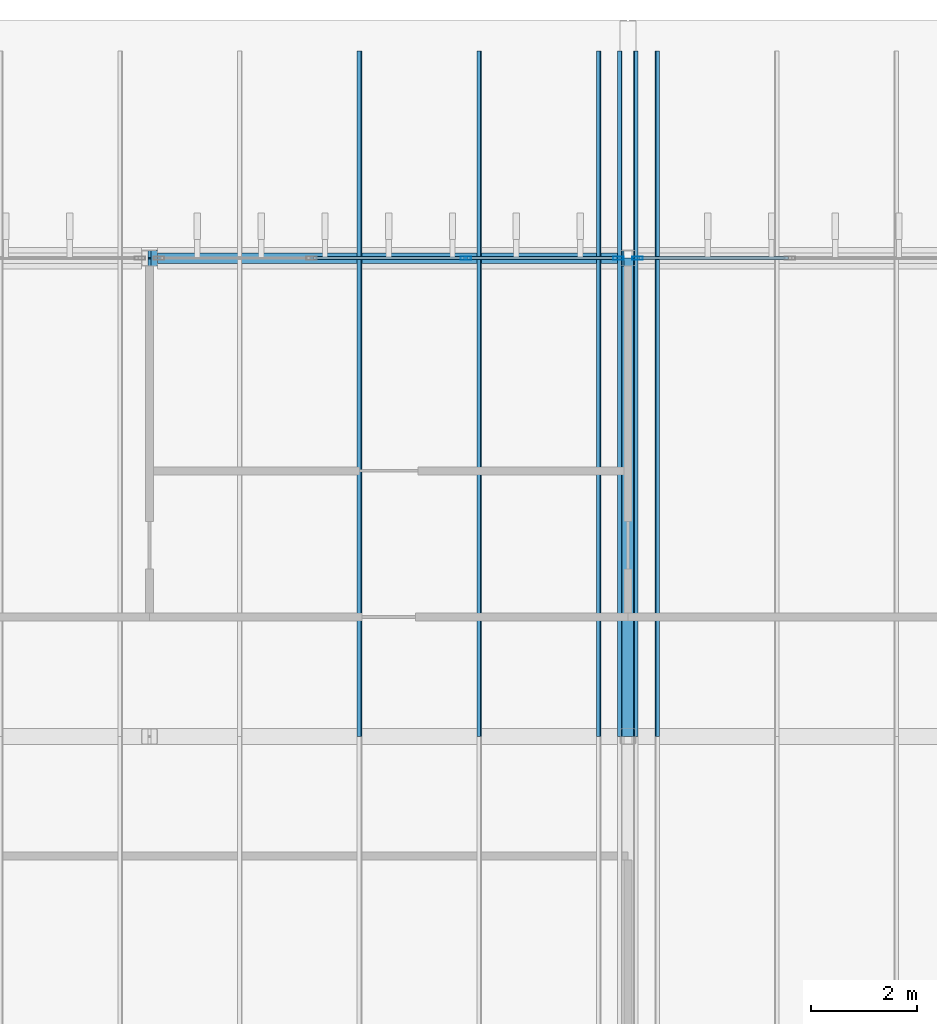
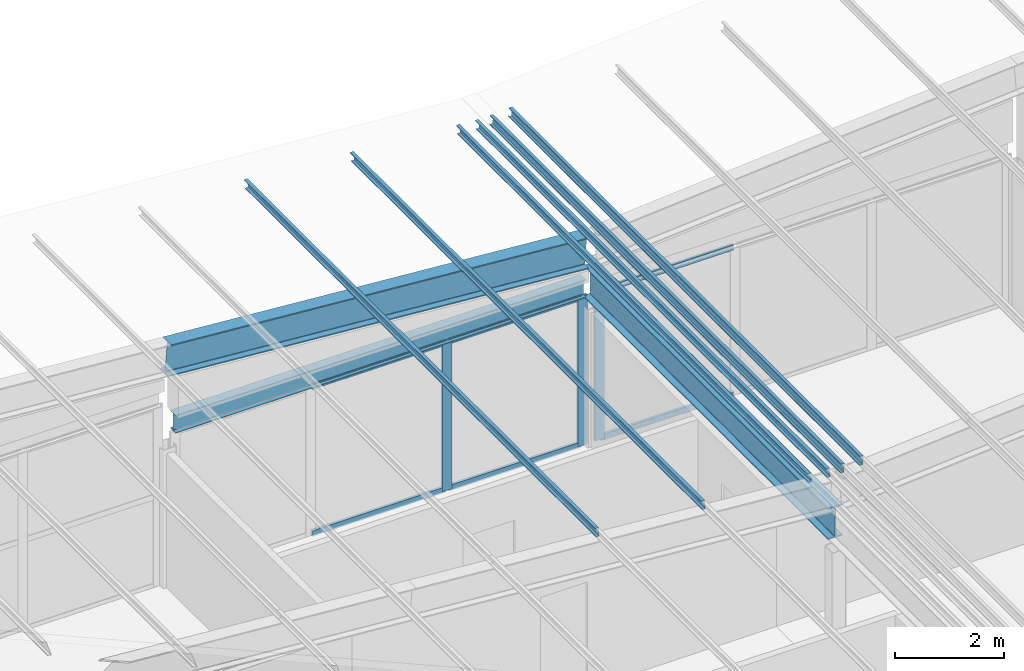
# One storey, part 56 of 85: 16 members, 2 beams, 2 elements without a shape of their own.
"""IFC4 building model written with IfcOpenShell, lengths in metres."""

from ifc_helpers import new_model, si_unit, direction, frame, origin, origin_2d, place, context, subcontext, project, spatial, polyline, hollow_rectangle, i_section, outline, extrude, material, layer, layer_set, material_profile, profile_set, type_object, element, aggregate, save


model = new_model("IFC4")

# Units and contexts
model_context = context("Model", 3, precision=1e-05, world=origin(), true_north=direction((0.0, 1.0)))
body_context = subcontext(model_context, "Body", "Model", "MODEL_VIEW")
ifc_project = project(units=[si_unit("LENGTHUNIT", "METRE"), si_unit("AREAUNIT", "SQUARE_METRE"), si_unit("VOLUMEUNIT", "CUBIC_METRE"), si_unit("PLANEANGLEUNIT", "RADIAN"), si_unit("MASSUNIT", "GRAM", prefix="KILO")], contexts=[model_context])

# Site, building, storey
site_placement = place(None, origin())
site = spatial("IfcSite", under=ifc_project, at=site_placement, CompositionType="ELEMENT")
building_placement = place(site_placement, origin())
building = spatial("IfcBuilding", under=site, at=building_placement, Name="Opaline Strait Convention Centre", CompositionType="ELEMENT")
storey_placement = place(building_placement, frame((0.0, 0.0, 17.0)))
storey = spatial("IfcBuildingStorey", under=building, at=storey_placement, Name="L03", CompositionType="ELEMENT", Elevation=17.0)

# Curtain wall, members
ifc_material_1 = material(Name="Aluminium framed double glazing", Category="aluminium")
ifc_layer = layer(ifc_material_1, 0.199951171875)
ifc_layer_set = layer_set([ifc_layer], Name="Aluminium framed double glazing")
curtain_wall_type = type_object("IfcCurtainWallType", Name="Curtain wall 3000 module unitised", PredefinedType="NOTDEFINED", material=ifc_layer_set)
curtain_wall_1_placement = place(storey_placement, origin())
curtain_wall_1 = element("IfcCurtainWall", 1, at=curtain_wall_1_placement, inside=storey, type_object=curtain_wall_type, Name="Curtain wall N L03 36/W", PredefinedType="NOTDEFINED")
ifc_material_2 = material(Name="Aluminium alloy 6063", Category="aluminium")
ifc_material_profile_1 = material_profile(ifc_material_2, hollow_rectangle(XDim=0.06005859375, YDim=0.199951171875, WallThickness=0.00390625, at=origin_2d()), Name="MULLION 60x200x4")
ifc_profile_set_1 = profile_set([ifc_material_profile_1], Name="Aluminium alloy 6063")
member_type_1 = type_object("IfcMemberType", Name="Curtain wall mullion 60 x 200", PredefinedType="MULLION", material=ifc_profile_set_1)
member_1_placement = place(storey_placement, frame((320.949951171875, 180.0, 0.0), z_axis=(0.0, 0.0, 1.0), x_axis=(0.0, 1.0, 0.0)))
member_1 = element("IfcMember", 2, at=member_1_placement, type_object=member_type_1, Name="MCWR1 mullion 3", PredefinedType="MULLION", context=body_context, shape_type="SweptSolid", body=[
    extrude(hollow_rectangle(XDim=0.06005859375, YDim=0.199951171875, WallThickness=0.00390625, at=origin_2d()), origin(), (0.0, 0.0, 1.0), 3.35009765625),
])
member_2_placement = place(storey_placement, frame((323.820068359375, 180.0, 0.0), z_axis=(0.0, 0.0, 1.0), x_axis=(0.0, 1.0, 0.0)))
member_2 = element("IfcMember", 3, at=member_2_placement, type_object=member_type_1, Name="MCWR1 mullion 4", PredefinedType="MULLION", context=body_context, shape_type="SweptSolid", body=[
    extrude(hollow_rectangle(XDim=0.06005859375, YDim=0.199951171875, WallThickness=0.00390625, at=origin_2d()), origin(), (0.0, 0.0, 1.0), 3.35009765625),
])

# Curtain wall, member
curtain_wall_2_placement = place(storey_placement, origin())
curtain_wall_2 = element("IfcCurtainWall", 4, at=curtain_wall_2_placement, inside=storey, type_object=curtain_wall_type, Name="Curtain wall N L03 37/W", PredefinedType="NOTDEFINED")
member_3_placement = place(storey_placement, frame((324.179931640625, 180.0, 0.0), z_axis=(0.0, 0.0, 1.0), x_axis=(0.0, 1.0, 0.0)))
member_3 = element("IfcMember", 5, at=member_3_placement, type_object=member_type_1, Name="MCWR1 mullion 1", PredefinedType="MULLION", context=body_context, shape_type="SweptSolid", body=[
    extrude(hollow_rectangle(XDim=0.06005859375, YDim=0.199951171875, WallThickness=0.00390625, at=origin_2d()), origin(), (0.0, 0.0, 1.0), 3.35009765625),
])

# Member
ifc_material_profile_2 = material_profile(ifc_material_2, hollow_rectangle(XDim=0.06005859375, YDim=0.1201171875, WallThickness=0.0029296875, at=origin_2d()), Name="TRANSOM 60x120x3")
ifc_profile_set_2 = profile_set([ifc_material_profile_2], Name="Aluminium alloy 6063")
member_type_2 = type_object("IfcMemberType", Name="Curtain wall transom 60 x 120", PredefinedType="USERDEFINED", material=ifc_profile_set_2)
member_4_placement = place(storey_placement, frame((318.080078125, 180.0, 0.030029296875), z_axis=(1.0, 0.0, 0.0), x_axis=(0.0, 1.0, 0.0)))
member_4 = element("IfcMember", 6, at=member_4_placement, type_object=member_type_2, Name="MCWR1 transom 2.1", ObjectType="TRANSOM", PredefinedType="USERDEFINED", context=body_context, shape_type="SweptSolid", body=[
    extrude(hollow_rectangle(XDim=0.06005859375, YDim=0.1201171875, WallThickness=0.0029296875, at=origin_2d()), origin(), (0.0, 0.0, 1.0), 2.83984375),
])

member_5_placement = place(storey_placement, frame((318.080078125, 180.0, 3.320068359375), z_axis=(1.0, 0.0, 0.0), x_axis=(0.0, 1.0, 0.0)))
member_5 = element("IfcMember", 7, at=member_5_placement, type_object=member_type_2, Name="MCWR1 transom 2.2", ObjectType="TRANSOM", PredefinedType="USERDEFINED", context=body_context, shape_type="SweptSolid", body=[
    extrude(hollow_rectangle(XDim=0.06005859375, YDim=0.1201171875, WallThickness=0.0029296875, at=origin_2d()), origin(), (0.0, 0.0, 1.0), 2.83984375),
])

member_6_placement = place(storey_placement, frame((320.97998046875, 180.0, 0.030029296875), z_axis=(1.0, 0.0, 0.0), x_axis=(0.0, 1.0, 0.0)))
member_6 = element("IfcMember", 8, at=member_6_placement, type_object=member_type_2, Name="MCWR1 transom 3.1", ObjectType="TRANSOM", PredefinedType="USERDEFINED", context=body_context, shape_type="SweptSolid", body=[
    extrude(hollow_rectangle(XDim=0.06005859375, YDim=0.1201171875, WallThickness=0.0029296875, at=origin_2d()), origin(), (0.0, 0.0, 1.0), 2.81005859375),
])

member_7_placement = place(storey_placement, frame((320.97998046875, 180.0, 3.320068359375), z_axis=(1.0, 0.0, 0.0), x_axis=(0.0, 1.0, 0.0)))
member_7 = element("IfcMember", 9, at=member_7_placement, type_object=member_type_2, Name="MCWR1 transom 3.2", ObjectType="TRANSOM", PredefinedType="USERDEFINED", context=body_context, shape_type="SweptSolid", body=[
    extrude(hollow_rectangle(XDim=0.06005859375, YDim=0.1201171875, WallThickness=0.0029296875, at=origin_2d()), origin(), (0.0, 0.0, 1.0), 2.81005859375),
])

aggregate(curtain_wall_1, [member_1, member_2, member_4, member_5, member_6, member_7])

member_8_placement = place(storey_placement, frame((324.2099609375, 180.0, 0.030029296875), z_axis=(1.0, 0.0, 0.0), x_axis=(0.0, 1.0, 0.0)))
member_8 = element("IfcMember", 10, at=member_8_placement, type_object=member_type_2, Name="MCWR1 transom 1.1", ObjectType="TRANSOM", PredefinedType="USERDEFINED", context=body_context, shape_type="SweptSolid", body=[
    extrude(hollow_rectangle(XDim=0.06005859375, YDim=0.1201171875, WallThickness=0.0029296875, at=origin_2d()), origin(), (0.0, 0.0, 1.0), 2.81005859375),
])

member_9_placement = place(storey_placement, frame((324.2099609375, 180.0, 3.320068359375), z_axis=(1.0, 0.0, 0.0), x_axis=(0.0, 1.0, 0.0)))
member_9 = element("IfcMember", 11, at=member_9_placement, type_object=member_type_2, Name="MCWR1 transom 1.2", ObjectType="TRANSOM", PredefinedType="USERDEFINED", context=body_context, shape_type="SweptSolid", body=[
    extrude(hollow_rectangle(XDim=0.06005859375, YDim=0.1201171875, WallThickness=0.0029296875, at=origin_2d()), origin(), (0.0, 0.0, 1.0), 2.81005859375),
])

aggregate(curtain_wall_2, [member_3, member_8, member_9])

# Beam
ifc_material_3 = material(Name="Steel Q355B", Category="steel")
ifc_material_profile_3 = material_profile(ifc_material_3, i_section(OverallWidth=0.199951171875, OverallDepth=0.39990234375, WebThickness=0.008056640625, FlangeThickness=0.012939453125, FilletRadius=0.012939453125, at=origin_2d()), Name="HN 400x200x8x13")
ifc_profile_set_3 = profile_set([ifc_material_profile_3], Name="Steel Q355B")
beam_type_1 = type_object("IfcBeamType", Name="Lintel beam HN 400x200x8x13", PredefinedType="BEAM", material=ifc_profile_set_3)
beam_1_placement = place(storey_placement, frame((315.14990234375, 180.0, 3.550048828125), z_axis=(1.0, 0.0, 0.0), x_axis=(0.0, 1.0, 0.0)))
element("IfcBeam", 12, at=beam_1_placement, inside=storey, type_object=beam_type_1, Name="MLB1 lintel beam over curtain wall 36/W", PredefinedType="BEAM", context=body_context, shape_type="SweptSolid", body=[
    extrude(i_section(OverallWidth=0.199951171875, OverallDepth=0.39990234375, WebThickness=0.008056640625, FlangeThickness=0.012939453125, FilletRadius=0.012939453125, at=origin_2d()), origin(), (0.0, 0.0, 1.0), 8.7001953125),
])

# Members
ifc_material_profile_4 = material_profile(ifc_material_3, outline(polyline([(-0.034912109375, -0.10009765625), (0.034912109375, -0.10009765625), (0.034912109375, -0.080078125), (0.032470703125, -0.080078125), (0.032470703125, -0.097412109375), (-0.032470703125, -0.097412109375), (-0.032470703125, 0.097412109375), (0.032470703125, 0.097412109375), (0.032470703125, 0.080078125), (0.034912109375, 0.080078125), (0.034912109375, 0.10009765625), (-0.034912109375, 0.10009765625), (-0.034912109375, -0.10009765625)])), Name="C 200x70x20x2.5")
ifc_profile_set_4 = profile_set([ifc_material_profile_4], Name="Steel Q355B")
member_type_3 = type_object("IfcMemberType", Name="Roof purlin C 200x70x20x2.5", PredefinedType="PURLIN", material=ifc_profile_set_4)
for number, where, z_axis, x_axis, name in (
    (13, (323.85009765625, 171.0, 4.814208984375), (0.0, 1.0, 0.0), (-0.996917333733, 0.0, -0.078459095728), "MRP1 purlin W wing 10"),
    (14, (323.449951171875, 171.0, 4.845703125), (0.0, 1.0, 0.0), (-0.996917333733, 0.0, -0.078459095728), "MRP1 purlin W wing 20"),
    (15, (321.199951171875, 171.0, 5.02294921875), (0.0, 1.0, 0.0), (-0.996917333733, 0.0, -0.078459095728), "MRP1 purlin W wing 30"),
    (16, (318.949951171875, 171.0, 5.199951171875), (0.0, 1.0, 0.0), (-0.996917333733, 0.0, -0.078459095728), "MRP1 purlin W wing 40"),
    (17, (324.14990234375, 171.0, 4.814208984375), (0.0, 1.0, 0.0), (-0.996917333733, 0.0, 0.078459095728), "MRP1 purlin E wing 220"),
    (18, (324.550048828125, 171.0, 4.845703125), (0.0, 1.0, 0.0), (-0.996917333733, 0.0, 0.078459095728), "MRP1 purlin E wing 230"),
):
    element("IfcMember", number, at=place(storey_placement, frame(where, z_axis=z_axis, x_axis=x_axis)), inside=storey, type_object=member_type_3, Name=name, PredefinedType="PURLIN", context=body_context, shape_type="SweptSolid", body=[
        extrude(outline(polyline([(-0.034912109375, -0.10009765625), (0.034912109375, -0.10009765625), (0.034912109375, -0.080078125), (0.032470703125, -0.080078125), (0.032470703125, -0.097412109375), (-0.032470703125, -0.097412109375), (-0.032470703125, 0.097412109375), (0.032470703125, 0.097412109375), (0.032470703125, 0.080078125), (0.034912109375, 0.080078125), (0.034912109375, 0.10009765625), (-0.034912109375, 0.10009765625), (-0.034912109375, -0.10009765625)])), origin(), (0.0, 0.0, 1.0), 12.89990234375),
    ])
ifc_material_profile_5 = material_profile(ifc_material_3, i_section(OverallWidth=0.300048828125, OverallDepth=0.699951171875, WebThickness=0.012939453125, FlangeThickness=0.02392578125, FilletRadius=0.01806640625, at=origin_2d()), Name="HN 700x300x13x24")
ifc_profile_set_5 = profile_set([ifc_material_profile_5], Name="Steel Q355B")
member_type_4 = type_object("IfcMemberType", Name="Roof rafter HN 700x300x13x24", PredefinedType="RAFTER", material=ifc_profile_set_5)
member_10_placement = place(storey_placement, frame((315.0, 180.0, 5.059326171875), z_axis=(0.996917316665, 0.0, -0.0784593126), x_axis=(0.0, 1.0, 0.0)))
element("IfcMember", 19, at=member_10_placement, inside=storey, type_object=member_type_4, Name="MRR1 rafter y 180", PredefinedType="RAFTER", context=body_context, shape_type="SweptSolid", body=[
    extrude(i_section(OverallWidth=0.300048828125, OverallDepth=0.699951171875, WebThickness=0.012939453125, FlangeThickness=0.02392578125, FilletRadius=0.01806640625, at=origin_2d()), origin(), (0.0, 0.0, 1.0), 8.927490234375),
])

# Beam
ifc_material_profile_6 = material_profile(ifc_material_3, i_section(OverallWidth=0.300048828125, OverallDepth=0.699951171875, WebThickness=0.012939453125, FlangeThickness=0.02392578125, FilletRadius=0.01806640625, at=origin_2d()), Name="HN 700x300x13x24")
ifc_profile_set_6 = profile_set([ifc_material_profile_6], Name="Steel Q355B")
beam_type_2 = type_object("IfcBeamType", Name="Valley beam HN 700x300x13x24", PredefinedType="BEAM", material=ifc_profile_set_6)
beam_2_placement = place(storey_placement, frame((324.0, 171.0, 3.661865234375), z_axis=(0.0, 1.0, 0.0), x_axis=(-1.0, 0.0, 0.0)))
element("IfcBeam", 20, at=beam_2_placement, inside=storey, type_object=beam_type_2, Name="MVB1 valley beam 8", PredefinedType="BEAM", context=body_context, shape_type="SweptSolid", body=[
    extrude(i_section(OverallWidth=0.300048828125, OverallDepth=0.699951171875, WebThickness=0.012939453125, FlangeThickness=0.02392578125, FilletRadius=0.01806640625, at=origin_2d()), origin(), (0.0, 0.0, 1.0), 9.0),
])

save(model, "model.ifc")
